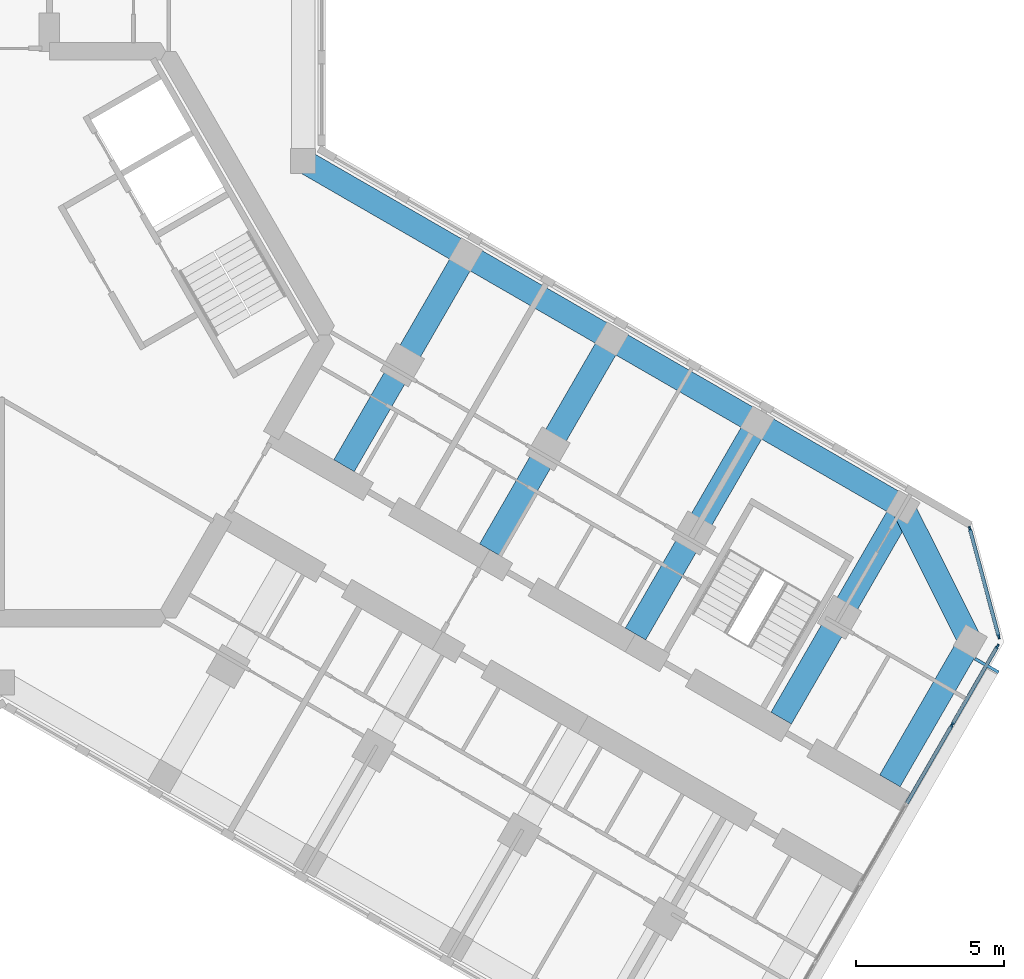
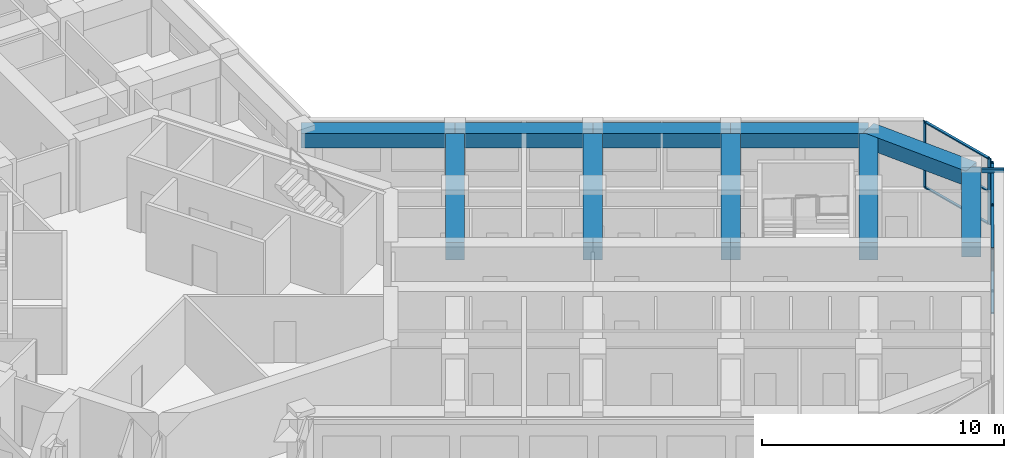
# One storey, part 5 of 16: 12 members, 10 beams, 2 elements without a shape of their own.
"""IFC4 building model written with IfcOpenShell, lengths in metres."""

from ifc_helpers import new_model, si_unit, direction, frame, origin, origin_2d, place, context, subcontext, project, spatial, rectangle, hollow_rectangle, extrude, material, material_profile, profile_set, type_object, element, aggregate, save


model = new_model("IFC4")

# Units and contexts
model_context = context("Model", 3, precision=1e-05, world=origin(), true_north=direction((0.0, 1.0)))
body_context = subcontext(model_context, "Body", "Model", "MODEL_VIEW")
ifc_project = project(units=[si_unit("LENGTHUNIT", "METRE"), si_unit("AREAUNIT", "SQUARE_METRE"), si_unit("VOLUMEUNIT", "CUBIC_METRE"), si_unit("PLANEANGLEUNIT", "RADIAN"), si_unit("MASSUNIT", "GRAM", prefix="KILO")], contexts=[model_context])

# Site, building, storey
site_placement = place(None, origin())
site = spatial("IfcSite", under=ifc_project, at=site_placement, CompositionType="ELEMENT")
building_placement = place(site_placement, origin())
building = spatial("IfcBuilding", under=site, at=building_placement, Name="Kosmar Iwan School Tower", CompositionType="ELEMENT")
storey_placement = place(building_placement, frame((0.0, 0.0, 246.0)))
storey = spatial("IfcBuildingStorey", under=building, at=storey_placement, Name="L62", CompositionType="ELEMENT", Elevation=246.0)

# Member
ifc_material_1 = material(Name="Steel S355", Category="steel")
ifc_material_profile_1 = material_profile(ifc_material_1, hollow_rectangle(XDim=0.10009765625, YDim=0.199951171875, WallThickness=0.008056640625, at=origin_2d()), Name="RHS 200x100x8")
ifc_profile_set_1 = profile_set([ifc_material_profile_1], Name="Steel S355")
member_type_1 = type_object("IfcMemberType", Name="Fin bracket RHS 200x100", PredefinedType="USERDEFINED", material=ifc_profile_set_1)
member_1_placement = place(storey_placement, frame((32.9541015625, -10.971923828125, 3.47509765625), z_axis=(0.865943820382, -0.500141279983, 0.0), x_axis=(0.500141279983, 0.865943820382, 0.0)))
element("IfcMember", 1, at=member_1_placement, inside=storey, type_object=member_type_1, Name="Fin bracket L63", ObjectType="FIN BRACKET", PredefinedType="USERDEFINED", context=body_context, shape_type="SweptSolid", body=[
    extrude(hollow_rectangle(XDim=0.10009765625, YDim=0.199951171875, WallThickness=0.008056640625, at=origin_2d()), origin(), (0.0, 0.0, 1.0), 0.925048828125),
])

# Curtain wall, members
ifc_material_2 = material(Name="Dark glass in black aluminium frame", Category="aluminium")
curtain_wall_type_1 = type_object("IfcCurtainWallType", Name="Tower curtain wall dark glass", PredefinedType="USERDEFINED", material=ifc_material_2)
curtain_wall_1_placement = place(storey_placement, origin())
curtain_wall_1 = element("IfcCurtainWall", 2, at=curtain_wall_1_placement, inside=storey, type_object=curtain_wall_type_1, Name="Curtain wall L62-F01", ObjectType="UNITISED CURTAIN WALL", PredefinedType="USERDEFINED")
ifc_material_3 = material(Name="Black anodised aluminium", Category="aluminium")
ifc_material_profile_2 = material_profile(ifc_material_3, rectangle(XDim=0.06005859375, YDim=0.159912109375, at=origin_2d()), Name="MULLION 60x160")
ifc_profile_set_2 = profile_set([ifc_material_profile_2], Name="Black anodised aluminium")
member_type_2 = type_object("IfcMemberType", Name="Mullion 60x160", PredefinedType="MULLION", material=ifc_profile_set_2)
member_2_placement = place(storey_placement, frame((32.1806640625, -13.21142578125, 0.0), z_axis=(0.0, 0.0, 1.0), x_axis=(-0.866025405329, 0.499999997325, 0.0)))
member_2 = element("IfcMember", 3, at=member_2_placement, type_object=member_type_2, Name="CW1 mullion 5", PredefinedType="MULLION", context=body_context, shape_type="SweptSolid", body=[
    extrude(rectangle(XDim=0.06005859375, YDim=0.159912109375, at=origin_2d()), origin(), (0.0, 0.0, 1.0), 3.35009765625),
])
member_3_placement = place(storey_placement, frame((33.71533203125, -10.55322265625, 0.0), z_axis=(0.0, 0.0, 1.0), x_axis=(-0.866025405329, 0.499999997325, 0.0)))
member_3 = element("IfcMember", 4, at=member_3_placement, type_object=member_type_2, Name="CW1 mullion 6", PredefinedType="MULLION", context=body_context, shape_type="SweptSolid", body=[
    extrude(rectangle(XDim=0.06005859375, YDim=0.159912109375, at=origin_2d()), origin(), (0.0, 0.0, 1.0), 3.35009765625),
])

ifc_material_4 = material(Name="Dark glass in black aluminium frame", Category="aluminium")
curtain_wall_type_2 = type_object("IfcCurtainWallType", Name="Chamfer curtain wall dark glass", PredefinedType="USERDEFINED", material=ifc_material_4)
curtain_wall_2_placement = place(storey_placement, origin())
curtain_wall_2 = element("IfcCurtainWall", 5, at=curtain_wall_2_placement, inside=storey, type_object=curtain_wall_type_2, Name="Curtain wall L62-F02", ObjectType="FACETED CURTAIN WALL", PredefinedType="USERDEFINED")
member_4_placement = place(storey_placement, frame((33.7587890625, -10.2236328125, 0.0), z_axis=(0.0, 0.0, 1.0), x_axis=(-0.965925875495, -0.258818861462, 0.0)))
member_4 = element("IfcMember", 6, at=member_4_placement, type_object=member_type_2, Name="CW2 mullion 1", PredefinedType="MULLION", context=body_context, shape_type="SweptSolid", body=[
    extrude(rectangle(XDim=0.06005859375, YDim=0.159912109375, at=origin_2d()), origin(), (0.0, 0.0, 1.0), 3.35009765625),
])
member_5_placement = place(storey_placement, frame((32.78076171875, -6.5732421875, 0.0), z_axis=(0.0, 0.0, 1.0), x_axis=(-0.965925875495, -0.258818861462, 0.0)))
member_5 = element("IfcMember", 7, at=member_5_placement, type_object=member_type_2, Name="CW2 mullion 2", PredefinedType="MULLION", context=body_context, shape_type="SweptSolid", body=[
    extrude(rectangle(XDim=0.06005859375, YDim=0.159912109375, at=origin_2d()), origin(), (0.0, 0.0, 1.0), 3.35009765625),
])

# Beams
ifc_material_5 = material(Name="Concrete C50/60", Category="concrete")
ifc_material_profile_3 = material_profile(ifc_material_5, rectangle(XDim=0.800048828125, YDim=0.75, at=origin_2d()), Name="RC 800x750")
ifc_profile_set_3 = profile_set([ifc_material_profile_3], Name="Concrete C50/60")
beam_type_1 = type_object("IfcBeamType", Name="RC edge beam 800x750", PredefinedType="BEAM", material=ifc_profile_set_3)
beam_1_placement = place(storey_placement, frame((10.199951171875, 5.888916015625, 2.97509765625), z_axis=(0.866030912664, -0.49999045822, 0.0), x_axis=(0.49999045822, 0.866030912664, 0.0)))
element("IfcBeam", 8, at=beam_1_placement, inside=storey, type_object=beam_type_1, Name="Edge beam CL1", PredefinedType="BEAM", context=body_context, shape_type="SweptSolid", body=[
    extrude(rectangle(XDim=0.800048828125, YDim=0.75, at=origin_2d()), origin(), (0.0, 0.0, 1.0), 6.36083984375),
])
beam_2_placement = place(storey_placement, frame((15.708740234375, 2.70849609375, 2.97509765625), z_axis=(0.866025820012, -0.499999279071, 0.0), x_axis=(0.499999279071, 0.866025820012, 0.0)))
element("IfcBeam", 9, at=beam_2_placement, inside=storey, type_object=beam_type_1, Name="Edge beam CL2", PredefinedType="BEAM", context=body_context, shape_type="SweptSolid", body=[
    extrude(rectangle(XDim=0.800048828125, YDim=0.75, at=origin_2d()), origin(), (0.0, 0.0, 1.0), 5.7001953125),
])
for number, where, z_axis, x_axis, name in (
    (10, (20.645263671875, -0.1416015625, 2.97509765625), (0.866033658841, -0.49998570155, 0.0), (0.49998570155, 0.866033658841, 0.0), "Edge beam CL3"),
    (11, (25.58154296875, -2.991455078125, 2.97509765625), (0.866015111908, -0.50001782563, 0.0), (0.50001782563, 0.866015111908, 0.0), "Edge beam CL4"),
):
    element("IfcBeam", number, at=place(storey_placement, frame(where, z_axis=z_axis, x_axis=x_axis)), inside=storey, type_object=beam_type_1, Name=name, PredefinedType="BEAM", context=body_context, shape_type="SweptSolid", body=[
        extrude(rectangle(XDim=0.800048828125, YDim=0.75, at=origin_2d()), origin(), (0.0, 0.0, 1.0), 5.699951171875),
    ])
ifc_material_6 = material(Name="Concrete C50/60", Category="concrete")
ifc_material_profile_4 = material_profile(ifc_material_6, rectangle(XDim=0.800048828125, YDim=0.75, at=origin_2d()), Name="RC 800x750")
ifc_profile_set_4 = profile_set([ifc_material_profile_4], Name="Concrete C50/60")
beam_type_2 = type_object("IfcBeamType", Name="RC tip beam 800x750", PredefinedType="BEAM", material=ifc_profile_set_4)
beam_3_placement = place(storey_placement, frame((30.517822265625, -5.841552734375, 2.97509765625), z_axis=(0.44809604203, -0.893985423325, 0.0), x_axis=(0.893985423325, 0.44809604203, 0.0)))
element("IfcBeam", 12, at=beam_3_placement, inside=storey, type_object=beam_type_2, Name="Tip beam CL", PredefinedType="BEAM", context=body_context, shape_type="SweptSolid", body=[
    extrude(rectangle(XDim=0.800048828125, YDim=0.75, at=origin_2d()), origin(), (0.0, 0.0, 1.0), 5.08935546875),
])
beam_4_placement = place(storey_placement, frame((32.79833984375, -10.391357421875, 2.97509765625), z_axis=(-0.49996933381, -0.866043108194, 0.0), x_axis=(0.866043108194, -0.49996933381, 0.0)))
element("IfcBeam", 13, at=beam_4_placement, inside=storey, type_object=beam_type_2, Name="Tip beam CL to corridor wall", PredefinedType="BEAM", context=body_context, shape_type="SweptSolid", body=[
    extrude(rectangle(XDim=0.800048828125, YDim=0.75, at=origin_2d()), origin(), (0.0, 0.0, 1.0), 5.449951171875),
])
ifc_material_7 = material(Name="Concrete C50/60", Category="concrete")
ifc_material_profile_5 = material_profile(ifc_material_7, rectangle(XDim=0.800048828125, YDim=0.89990234375, at=origin_2d()), Name="RC 800x900")
ifc_profile_set_5 = profile_set([ifc_material_profile_5], Name="Concrete C50/60")
beam_type_3 = type_object("IfcBeamType", Name="RC transverse beam 800x900", PredefinedType="BEAM", material=ifc_profile_set_5)
beam_5_placement = place(storey_placement, frame((15.708740234375, 2.70849609375, 2.89990234375), z_axis=(-0.499996545922, -0.866027397988, 0.0), x_axis=(0.866027397988, -0.499996545922, 0.0)))
element("IfcBeam", 14, at=beam_5_placement, inside=storey, type_object=beam_type_3, Name="Transverse beam CL1", PredefinedType="BEAM", context=body_context, shape_type="SweptSolid", body=[
    extrude(rectangle(XDim=0.800048828125, YDim=0.89990234375, at=origin_2d()), origin(), (0.0, 0.0, 1.0), 8.25),
])
beam_6_placement = place(storey_placement, frame((20.645263671875, -0.1416015625, 2.89990234375), z_axis=(-0.500009360108, -0.866019999656, 0.0), x_axis=(0.866019999656, -0.500009360108, 0.0)))
element("IfcBeam", 15, at=beam_6_placement, inside=storey, type_object=beam_type_3, Name="Transverse beam CL2", PredefinedType="BEAM", context=body_context, shape_type="SweptSolid", body=[
    extrude(rectangle(XDim=0.800048828125, YDim=0.89990234375, at=origin_2d()), origin(), (0.0, 0.0, 1.0), 8.249755859375),
])
for number, where, z_axis, x_axis, name in (
    (16, (25.58154296875, -2.991455078125, 2.89990234375), (-0.499996545922, -0.866027397988, 0.0), (0.866027397988, -0.499996545922, 0.0), "Transverse beam CL3"),
    (17, (30.517822265625, -5.841552734375, 2.89990234375), (-0.499996545922, -0.866027397988, 0.0), (0.866027397988, -0.499996545922, 0.0), "Transverse beam CL4"),
):
    element("IfcBeam", number, at=place(storey_placement, frame(where, z_axis=z_axis, x_axis=x_axis)), inside=storey, type_object=beam_type_3, Name=name, PredefinedType="BEAM", context=body_context, shape_type="SweptSolid", body=[
        extrude(rectangle(XDim=0.800048828125, YDim=0.89990234375, at=origin_2d()), origin(), (0.0, 0.0, 1.0), 8.25),
    ])

# Member
ifc_material_8 = material(Name="Black anodised aluminium", Category="aluminium")
ifc_material_profile_6 = material_profile(ifc_material_8, rectangle(XDim=0.1201171875, YDim=0.06005859375, at=origin_2d()), Name="TRANSOM 60x120")
ifc_profile_set_6 = profile_set([ifc_material_profile_6], Name="Black anodised aluminium")
member_type_3 = type_object("IfcMemberType", Name="Transom 60x120", PredefinedType="USERDEFINED", material=ifc_profile_set_6)
member_6_placement = place(storey_placement, frame((30.64599609375, -15.869384765625, 0.030029296875), z_axis=(0.500035348339, 0.866004994449, 0.0), x_axis=(-0.866004994449, 0.500035348339, 0.0)))
member_6 = element("IfcMember", 18, at=member_6_placement, type_object=member_type_3, Name="CW1 transom 4.1", ObjectType="TRANSOM", PredefinedType="USERDEFINED", context=body_context, shape_type="SweptSolid", body=[
    extrude(rectangle(XDim=0.1201171875, YDim=0.06005859375, at=origin_2d()), origin(), (0.0, 0.0, 1.0), 3.039306640625),
])

member_7_placement = place(storey_placement, frame((30.64599609375, -15.869384765625, 3.320068359375), z_axis=(0.500035348339, 0.866004994449, 0.0), x_axis=(-0.866004994449, 0.500035348339, 0.0)))
member_7 = element("IfcMember", 19, at=member_7_placement, type_object=member_type_3, Name="CW1 transom 4.2", ObjectType="TRANSOM", PredefinedType="USERDEFINED", context=body_context, shape_type="SweptSolid", body=[
    extrude(rectangle(XDim=0.1201171875, YDim=0.06005859375, at=origin_2d()), origin(), (0.0, 0.0, 1.0), 3.039306640625),
])

member_8_placement = place(storey_placement, frame((32.19580078125, -13.185302734375, 0.030029296875), z_axis=(0.500022102064, 0.866012642776, 0.0), x_axis=(-0.866012642776, 0.500022102064, 0.0)))
member_8 = element("IfcMember", 20, at=member_8_placement, type_object=member_type_3, Name="CW1 transom 5.1", ObjectType="TRANSOM", PredefinedType="USERDEFINED", context=body_context, shape_type="SweptSolid", body=[
    extrude(rectangle(XDim=0.1201171875, YDim=0.06005859375, at=origin_2d()), origin(), (0.0, 0.0, 1.0), 3.009033203125),
])

member_9_placement = place(storey_placement, frame((32.19580078125, -13.185302734375, 3.320068359375), z_axis=(0.500022102064, 0.866012642776, 0.0), x_axis=(-0.866012642776, 0.500022102064, 0.0)))
member_9 = element("IfcMember", 21, at=member_9_placement, type_object=member_type_3, Name="CW1 transom 5.2", ObjectType="TRANSOM", PredefinedType="USERDEFINED", context=body_context, shape_type="SweptSolid", body=[
    extrude(rectangle(XDim=0.1201171875, YDim=0.06005859375, at=origin_2d()), origin(), (0.0, 0.0, 1.0), 3.009033203125),
])

aggregate(curtain_wall_1, [member_2, member_3, member_6, member_7, member_8, member_9])

member_10_placement = place(storey_placement, frame((33.7509765625, -10.194580078125, 0.030029296875), z_axis=(-0.258843273983, 0.965919333854, 0.0), x_axis=(-0.965919333854, -0.258843273983, 0.0)))
member_10 = element("IfcMember", 22, at=member_10_placement, type_object=member_type_3, Name="CW2 transom 1.1", ObjectType="TRANSOM", PredefinedType="USERDEFINED", context=body_context, shape_type="SweptSolid", body=[
    extrude(rectangle(XDim=0.1201171875, YDim=0.06005859375, at=origin_2d()), origin(), (0.0, 0.0, 1.0), 3.718994140625),
])

member_11_placement = place(storey_placement, frame((33.7509765625, -10.194580078125, 1.675048828125), z_axis=(-0.258843273983, 0.965919333854, 0.0), x_axis=(-0.965919333854, -0.258843273983, 0.0)))
member_11 = element("IfcMember", 23, at=member_11_placement, type_object=member_type_3, Name="CW2 transom 1.2", ObjectType="TRANSOM", PredefinedType="USERDEFINED", context=body_context, shape_type="SweptSolid", body=[
    extrude(rectangle(XDim=0.1201171875, YDim=0.06005859375, at=origin_2d()), origin(), (0.0, 0.0, 1.0), 3.718994140625),
])

member_12_placement = place(storey_placement, frame((33.7509765625, -10.194580078125, 3.320068359375), z_axis=(-0.258843273983, 0.965919333854, 0.0), x_axis=(-0.965919333854, -0.258843273983, 0.0)))
member_12 = element("IfcMember", 24, at=member_12_placement, type_object=member_type_3, Name="CW2 transom 1.3", ObjectType="TRANSOM", PredefinedType="USERDEFINED", context=body_context, shape_type="SweptSolid", body=[
    extrude(rectangle(XDim=0.1201171875, YDim=0.06005859375, at=origin_2d()), origin(), (0.0, 0.0, 1.0), 3.718994140625),
])

aggregate(curtain_wall_2, [member_4, member_5, member_10, member_11, member_12])

save(model, "model.ifc")
